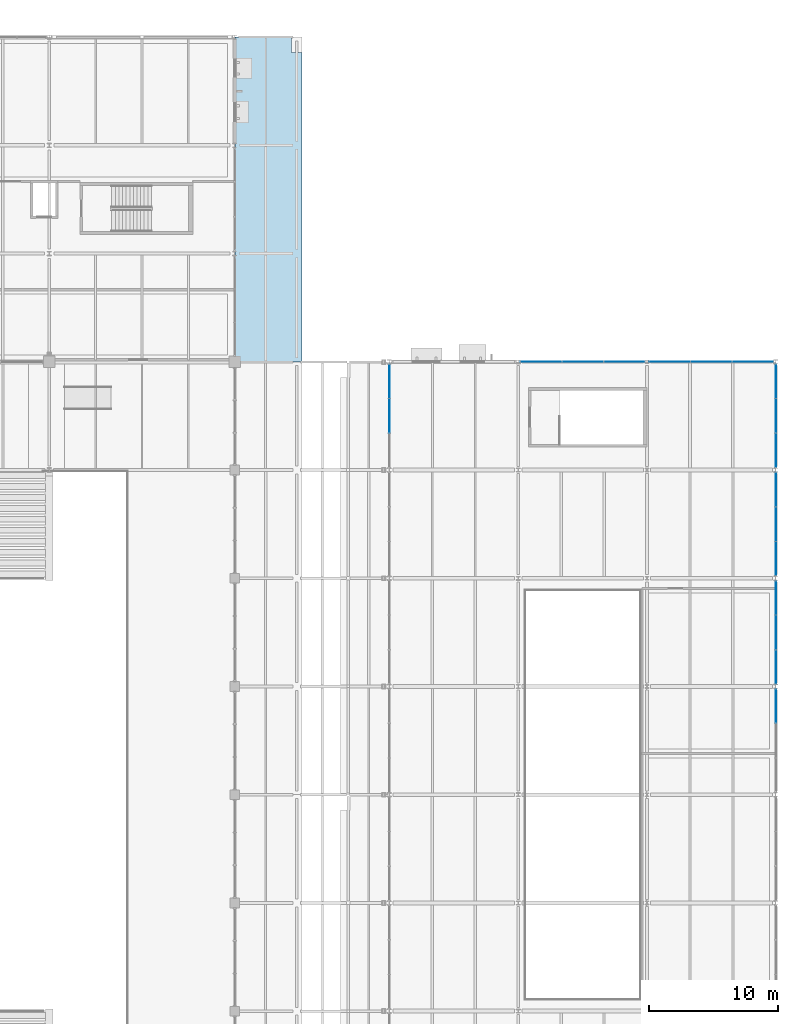
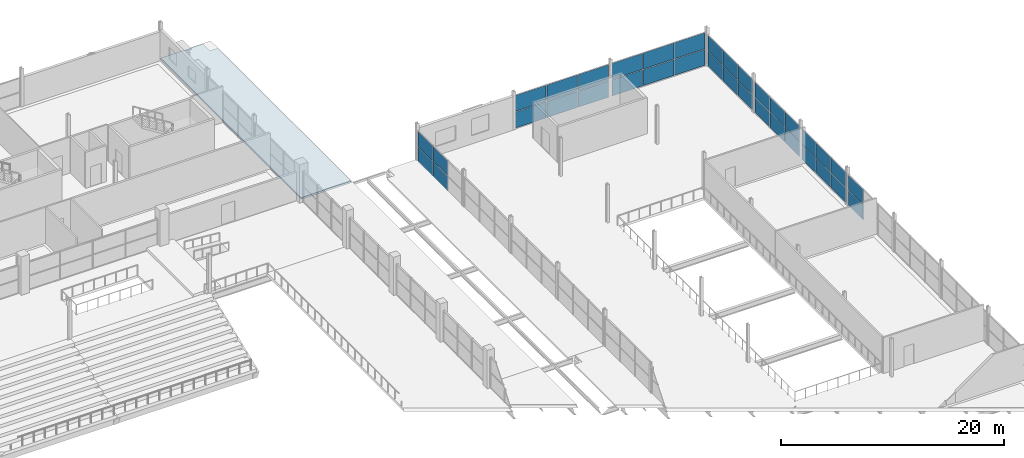
# One storey, part 131 of 161: 36 plates, 1 slab, 7 elements without a shape of their own.
"""IFC4 building model written with IfcOpenShell, lengths in metres."""

from ifc_helpers import new_model, si_unit, direction, frame, origin, origin_2d, place, context, subcontext, project, spatial, polyline, rectangle, outline, extrude, material, layer, layer_set, type_object, element, aggregate, save


model = new_model("IFC4")

# Units and contexts
model_context = context("Model", 3, precision=1e-05, world=origin(), true_north=direction((0.0, 1.0)))
body_context = subcontext(model_context, "Body", "Model", "MODEL_VIEW")
ifc_project = project(units=[si_unit("LENGTHUNIT", "METRE"), si_unit("AREAUNIT", "SQUARE_METRE"), si_unit("VOLUMEUNIT", "CUBIC_METRE"), si_unit("PLANEANGLEUNIT", "RADIAN"), si_unit("MASSUNIT", "GRAM", prefix="KILO"), si_unit("THERMODYNAMICTEMPERATUREUNIT", "KELVIN")], contexts=[model_context])

# Site, building, storey
site_placement = place(None, origin())
site = spatial("IfcSite", under=ifc_project, at=site_placement, CompositionType="ELEMENT")
building_placement = place(site_placement, origin())
building = spatial("IfcBuilding", under=site, at=building_placement, Name="Nduvali Passage Aquatics Centre", CompositionType="ELEMENT")
storey_placement = place(building_placement, frame((0.0, 0.0, 4.800048828125)))
storey = spatial("IfcBuildingStorey", under=building, at=storey_placement, Name="L01", CompositionType="ELEMENT", Elevation=4.800048828125)

# Curtain wall, plates
ifc_material_1 = material(Name="Aluminium EN AW-6063 T6", Category="aluminium")
curtain_wall_type_1 = type_object("IfcCurtainWallType", Name="ENV-CW-FOYR", PredefinedType="NOTDEFINED", material=ifc_material_1)
curtain_wall_1_placement = place(storey_placement, origin())
curtain_wall_1 = element("IfcCurtainWall", 1, at=curtain_wall_1_placement, inside=storey, type_object=curtain_wall_type_1, Name="L01 Passage Foyer End Upper CW 079", PredefinedType="NOTDEFINED")
ifc_material_2 = material(Name="Laminated solar-control low-E IGU")
ifc_layer_1 = layer(ifc_material_2, 0.028076171875, Name="Laminated solar-control low-E IGU")
ifc_layer_set_1 = layer_set([ifc_layer_1], Name="Laminated solar-control low-E IGU")
plate_type = type_object("IfcPlateType", Name="ENV-PLT-GLZ28", PredefinedType="CURTAIN_PANEL", material=ifc_layer_set_1)
plate_1_placement = place(storey_placement, frame((138.0, 88.199951171875, 0.06005859375), z_axis=(0.0, 0.0, 1.0), x_axis=(0.0, 1.0, 0.0)))
plate_1 = element("IfcPlate", 2, at=plate_1_placement, type_object=plate_type, Name="Passage Foyer End Upper CW Glazed Panel B2-R1", PredefinedType="CURTAIN_PANEL", context=body_context, shape_type="SweptSolid", body=[
    extrude(rectangle(XDim=2.639892578125, YDim=0.028076171875, at=origin_2d()), origin(), (0.0, 0.0, 1.0), 1.628173828125),
])
plate_2_placement = place(storey_placement, frame((138.0, 88.199951171875, 1.748046875), z_axis=(0.0, 0.0, 1.0), x_axis=(0.0, 1.0, 0.0)))
plate_2 = element("IfcPlate", 3, at=plate_2_placement, type_object=plate_type, Name="Passage Foyer End Upper CW Glazed Panel B2-R2", PredefinedType="CURTAIN_PANEL", context=body_context, shape_type="SweptSolid", body=[
    extrude(rectangle(XDim=2.639892578125, YDim=0.028076171875, at=origin_2d()), origin(), (0.0, 0.0, 1.0), 1.628173828125),
])
plate_3_placement = place(storey_placement, frame((138.0, 90.885009765625, 0.06005859375), z_axis=(0.0, 0.0, 1.0), x_axis=(0.0, 1.0, 0.0)))
plate_3 = element("IfcPlate", 4, at=plate_3_placement, type_object=plate_type, Name="Passage Foyer End Upper CW Glazed Panel B3-R1", PredefinedType="CURTAIN_PANEL", context=body_context, shape_type="SweptSolid", body=[
    extrude(rectangle(XDim=2.610107421875, YDim=0.028076171875, at=origin_2d()), origin(), (0.0, 0.0, 1.0), 1.628173828125),
])
plate_4_placement = place(storey_placement, frame((138.0, 90.885009765625, 1.748046875), z_axis=(0.0, 0.0, 1.0), x_axis=(0.0, 1.0, 0.0)))
plate_4 = element("IfcPlate", 5, at=plate_4_placement, type_object=plate_type, Name="Passage Foyer End Upper CW Glazed Panel B3-R2", PredefinedType="CURTAIN_PANEL", context=body_context, shape_type="SweptSolid", body=[
    extrude(rectangle(XDim=2.610107421875, YDim=0.028076171875, at=origin_2d()), origin(), (0.0, 0.0, 1.0), 1.628173828125),
])
aggregate(curtain_wall_1, [plate_1, plate_2, plate_3, plate_4])

curtain_wall_2_placement = place(storey_placement, origin())
curtain_wall_2 = element("IfcCurtainWall", 6, at=curtain_wall_2_placement, inside=storey, type_object=curtain_wall_type_1, Name="L01 East Avenue Entrance Upper CW 086", PredefinedType="NOTDEFINED")
plate_5_placement = place(storey_placement, frame((168.0, 65.681640625, 0.06005859375), z_axis=(0.0, 0.0, 1.0), x_axis=(0.0, 1.0, 0.0)))
plate_5 = element("IfcPlate", 7, at=plate_5_placement, type_object=plate_type, Name="East Avenue Entrance Upper CW Glazed Panel B3-R1", PredefinedType="CURTAIN_PANEL", context=body_context, shape_type="SweptSolid", body=[
    extrude(rectangle(XDim=2.606689453125, YDim=0.028076171875, at=origin_2d()), origin(), (0.0, 0.0, 1.0), 1.628173828125),
])
plate_6_placement = place(storey_placement, frame((168.0, 65.681640625, 1.748046875), z_axis=(0.0, 0.0, 1.0), x_axis=(0.0, 1.0, 0.0)))
plate_6 = element("IfcPlate", 8, at=plate_6_placement, type_object=plate_type, Name="East Avenue Entrance Upper CW Glazed Panel B3-R2", PredefinedType="CURTAIN_PANEL", context=body_context, shape_type="SweptSolid", body=[
    extrude(rectangle(XDim=2.606689453125, YDim=0.028076171875, at=origin_2d()), origin(), (0.0, 0.0, 1.0), 1.628173828125),
])
aggregate(curtain_wall_2, [plate_5, plate_6])

curtain_wall_3_placement = place(storey_placement, origin())
curtain_wall_3 = element("IfcCurtainWall", 9, at=curtain_wall_3_placement, inside=storey, type_object=curtain_wall_type_1, Name="L01 East Avenue Entrance Upper CW 088", PredefinedType="NOTDEFINED")
plate_7_placement = place(storey_placement, frame((168.0, 68.71826171875, 0.06005859375), z_axis=(0.0, 0.0, 1.0), x_axis=(0.0, 1.0, 0.0)))
plate_7 = element("IfcPlate", 10, at=plate_7_placement, type_object=plate_type, Name="East Avenue Entrance Upper CW Glazed Panel B1-R1", PredefinedType="CURTAIN_PANEL", context=body_context, shape_type="SweptSolid", body=[
    extrude(rectangle(XDim=2.606689453125, YDim=0.028076171875, at=origin_2d()), origin(), (0.0, 0.0, 1.0), 1.628173828125),
])
plate_8_placement = place(storey_placement, frame((168.0, 68.71826171875, 1.748046875), z_axis=(0.0, 0.0, 1.0), x_axis=(0.0, 1.0, 0.0)))
plate_8 = element("IfcPlate", 11, at=plate_8_placement, type_object=plate_type, Name="East Avenue Entrance Upper CW Glazed Panel B1-R2", PredefinedType="CURTAIN_PANEL", context=body_context, shape_type="SweptSolid", body=[
    extrude(rectangle(XDim=2.606689453125, YDim=0.028076171875, at=origin_2d()), origin(), (0.0, 0.0, 1.0), 1.628173828125),
])
plate_9_placement = place(storey_placement, frame((168.0, 71.39990234375, 0.06005859375), z_axis=(0.0, 0.0, 1.0), x_axis=(0.0, 1.0, 0.0)))
plate_9 = element("IfcPlate", 12, at=plate_9_placement, type_object=plate_type, Name="East Avenue Entrance Upper CW Glazed Panel B2-R1", PredefinedType="CURTAIN_PANEL", context=body_context, shape_type="SweptSolid", body=[
    extrude(rectangle(XDim=2.63671875, YDim=0.028076171875, at=origin_2d()), origin(), (0.0, 0.0, 1.0), 1.628173828125),
])
plate_10_placement = place(storey_placement, frame((168.0, 71.39990234375, 1.748046875), z_axis=(0.0, 0.0, 1.0), x_axis=(0.0, 1.0, 0.0)))
plate_10 = element("IfcPlate", 13, at=plate_10_placement, type_object=plate_type, Name="East Avenue Entrance Upper CW Glazed Panel B2-R2", PredefinedType="CURTAIN_PANEL", context=body_context, shape_type="SweptSolid", body=[
    extrude(rectangle(XDim=2.63671875, YDim=0.028076171875, at=origin_2d()), origin(), (0.0, 0.0, 1.0), 1.628173828125),
])
plate_11_placement = place(storey_placement, frame((168.0, 74.081787109375, 0.06005859375), z_axis=(0.0, 0.0, 1.0), x_axis=(0.0, 1.0, 0.0)))
plate_11 = element("IfcPlate", 14, at=plate_11_placement, type_object=plate_type, Name="East Avenue Entrance Upper CW Glazed Panel B3-R1", PredefinedType="CURTAIN_PANEL", context=body_context, shape_type="SweptSolid", body=[
    extrude(rectangle(XDim=2.606689453125, YDim=0.028076171875, at=origin_2d()), origin(), (0.0, 0.0, 1.0), 1.628173828125),
])
plate_12_placement = place(storey_placement, frame((168.0, 74.081787109375, 1.748046875), z_axis=(0.0, 0.0, 1.0), x_axis=(0.0, 1.0, 0.0)))
plate_12 = element("IfcPlate", 15, at=plate_12_placement, type_object=plate_type, Name="East Avenue Entrance Upper CW Glazed Panel B3-R2", PredefinedType="CURTAIN_PANEL", context=body_context, shape_type="SweptSolid", body=[
    extrude(rectangle(XDim=2.606689453125, YDim=0.028076171875, at=origin_2d()), origin(), (0.0, 0.0, 1.0), 1.628173828125),
])
aggregate(curtain_wall_3, [plate_7, plate_8, plate_9, plate_10, plate_11, plate_12])

curtain_wall_4_placement = place(storey_placement, origin())
curtain_wall_4 = element("IfcCurtainWall", 16, at=curtain_wall_4_placement, inside=storey, type_object=curtain_wall_type_1, Name="L01 East Avenue Entrance Upper CW 090", PredefinedType="NOTDEFINED")
plate_13_placement = place(storey_placement, frame((168.0, 77.118408203125, 0.06005859375), z_axis=(0.0, 0.0, 1.0), x_axis=(0.0, 1.0, 0.0)))
plate_13 = element("IfcPlate", 17, at=plate_13_placement, type_object=plate_type, Name="East Avenue Entrance Upper CW Glazed Panel B1-R1", PredefinedType="CURTAIN_PANEL", context=body_context, shape_type="SweptSolid", body=[
    extrude(rectangle(XDim=2.606689453125, YDim=0.028076171875, at=origin_2d()), origin(), (0.0, 0.0, 1.0), 1.628173828125),
])
plate_14_placement = place(storey_placement, frame((168.0, 77.118408203125, 1.748046875), z_axis=(0.0, 0.0, 1.0), x_axis=(0.0, 1.0, 0.0)))
plate_14 = element("IfcPlate", 18, at=plate_14_placement, type_object=plate_type, Name="East Avenue Entrance Upper CW Glazed Panel B1-R2", PredefinedType="CURTAIN_PANEL", context=body_context, shape_type="SweptSolid", body=[
    extrude(rectangle(XDim=2.606689453125, YDim=0.028076171875, at=origin_2d()), origin(), (0.0, 0.0, 1.0), 1.628173828125),
])
plate_15_placement = place(storey_placement, frame((168.0, 79.800048828125, 0.06005859375), z_axis=(0.0, 0.0, 1.0), x_axis=(0.0, 1.0, 0.0)))
plate_15 = element("IfcPlate", 19, at=plate_15_placement, type_object=plate_type, Name="East Avenue Entrance Upper CW Glazed Panel B2-R1", PredefinedType="CURTAIN_PANEL", context=body_context, shape_type="SweptSolid", body=[
    extrude(rectangle(XDim=2.63671875, YDim=0.028076171875, at=origin_2d()), origin(), (0.0, 0.0, 1.0), 1.628173828125),
])
plate_16_placement = place(storey_placement, frame((168.0, 79.800048828125, 1.748046875), z_axis=(0.0, 0.0, 1.0), x_axis=(0.0, 1.0, 0.0)))
plate_16 = element("IfcPlate", 20, at=plate_16_placement, type_object=plate_type, Name="East Avenue Entrance Upper CW Glazed Panel B2-R2", PredefinedType="CURTAIN_PANEL", context=body_context, shape_type="SweptSolid", body=[
    extrude(rectangle(XDim=2.63671875, YDim=0.028076171875, at=origin_2d()), origin(), (0.0, 0.0, 1.0), 1.628173828125),
])
plate_17_placement = place(storey_placement, frame((168.0, 82.481689453125, 0.06005859375), z_axis=(0.0, 0.0, 1.0), x_axis=(0.0, 1.0, 0.0)))
plate_17 = element("IfcPlate", 21, at=plate_17_placement, type_object=plate_type, Name="East Avenue Entrance Upper CW Glazed Panel B3-R1", PredefinedType="CURTAIN_PANEL", context=body_context, shape_type="SweptSolid", body=[
    extrude(rectangle(XDim=2.606689453125, YDim=0.028076171875, at=origin_2d()), origin(), (0.0, 0.0, 1.0), 1.628173828125),
])
plate_18_placement = place(storey_placement, frame((168.0, 82.481689453125, 1.748046875), z_axis=(0.0, 0.0, 1.0), x_axis=(0.0, 1.0, 0.0)))
plate_18 = element("IfcPlate", 22, at=plate_18_placement, type_object=plate_type, Name="East Avenue Entrance Upper CW Glazed Panel B3-R2", PredefinedType="CURTAIN_PANEL", context=body_context, shape_type="SweptSolid", body=[
    extrude(rectangle(XDim=2.606689453125, YDim=0.028076171875, at=origin_2d()), origin(), (0.0, 0.0, 1.0), 1.628173828125),
])
aggregate(curtain_wall_4, [plate_13, plate_14, plate_15, plate_16, plate_17, plate_18])

curtain_wall_5_placement = place(storey_placement, origin())
curtain_wall_5 = element("IfcCurtainWall", 23, at=curtain_wall_5_placement, inside=storey, type_object=curtain_wall_type_1, Name="L01 East Avenue Entrance End Upper CW 091", PredefinedType="NOTDEFINED")
plate_19_placement = place(storey_placement, frame((168.0, 85.518310546875, 0.06005859375), z_axis=(0.0, 0.0, 1.0), x_axis=(0.0, 1.0, 0.0)))
plate_19 = element("IfcPlate", 24, at=plate_19_placement, type_object=plate_type, Name="East Avenue Entrance End Upper CW Glazed Panel B1-R1", PredefinedType="CURTAIN_PANEL", context=body_context, shape_type="SweptSolid", body=[
    extrude(rectangle(XDim=2.606689453125, YDim=0.028076171875, at=origin_2d()), origin(), (0.0, 0.0, 1.0), 1.628173828125),
])
plate_20_placement = place(storey_placement, frame((168.0, 85.518310546875, 1.748046875), z_axis=(0.0, 0.0, 1.0), x_axis=(0.0, 1.0, 0.0)))
plate_20 = element("IfcPlate", 25, at=plate_20_placement, type_object=plate_type, Name="East Avenue Entrance End Upper CW Glazed Panel B1-R2", PredefinedType="CURTAIN_PANEL", context=body_context, shape_type="SweptSolid", body=[
    extrude(rectangle(XDim=2.606689453125, YDim=0.028076171875, at=origin_2d()), origin(), (0.0, 0.0, 1.0), 1.628173828125),
])
plate_21_placement = place(storey_placement, frame((168.0, 88.199951171875, 0.06005859375), z_axis=(0.0, 0.0, 1.0), x_axis=(0.0, 1.0, 0.0)))
plate_21 = element("IfcPlate", 26, at=plate_21_placement, type_object=plate_type, Name="East Avenue Entrance End Upper CW Glazed Panel B2-R1", PredefinedType="CURTAIN_PANEL", context=body_context, shape_type="SweptSolid", body=[
    extrude(rectangle(XDim=2.63671875, YDim=0.028076171875, at=origin_2d()), origin(), (0.0, 0.0, 1.0), 1.628173828125),
])
plate_22_placement = place(storey_placement, frame((168.0, 88.199951171875, 1.748046875), z_axis=(0.0, 0.0, 1.0), x_axis=(0.0, 1.0, 0.0)))
plate_22 = element("IfcPlate", 27, at=plate_22_placement, type_object=plate_type, Name="East Avenue Entrance End Upper CW Glazed Panel B2-R2", PredefinedType="CURTAIN_PANEL", context=body_context, shape_type="SweptSolid", body=[
    extrude(rectangle(XDim=2.63671875, YDim=0.028076171875, at=origin_2d()), origin(), (0.0, 0.0, 1.0), 1.628173828125),
])
plate_23_placement = place(storey_placement, frame((168.0, 90.881591796875, 0.06005859375), z_axis=(0.0, 0.0, 1.0), x_axis=(0.0, 1.0, 0.0)))
plate_23 = element("IfcPlate", 28, at=plate_23_placement, type_object=plate_type, Name="East Avenue Entrance End Upper CW Glazed Panel B3-R1", PredefinedType="CURTAIN_PANEL", context=body_context, shape_type="SweptSolid", body=[
    extrude(rectangle(XDim=2.606689453125, YDim=0.028076171875, at=origin_2d()), origin(), (0.0, 0.0, 1.0), 1.628173828125),
])
plate_24_placement = place(storey_placement, frame((168.0, 90.881591796875, 1.748046875), z_axis=(0.0, 0.0, 1.0), x_axis=(0.0, 1.0, 0.0)))
plate_24 = element("IfcPlate", 29, at=plate_24_placement, type_object=plate_type, Name="East Avenue Entrance End Upper CW Glazed Panel B3-R2", PredefinedType="CURTAIN_PANEL", context=body_context, shape_type="SweptSolid", body=[
    extrude(rectangle(XDim=2.606689453125, YDim=0.028076171875, at=origin_2d()), origin(), (0.0, 0.0, 1.0), 1.628173828125),
])
aggregate(curtain_wall_5, [plate_19, plate_20, plate_21, plate_22, plate_23, plate_24])

curtain_wall_type_2 = type_object("IfcCurtainWallType", Name="ENV-CW-PASS", PredefinedType="NOTDEFINED", material=ifc_material_1)
curtain_wall_6_placement = place(storey_placement, origin())
curtain_wall_6 = element("IfcCurtainWall", 30, at=curtain_wall_6_placement, inside=storey, type_object=curtain_wall_type_2, Name="L01 North Cafe Upper CW 096", PredefinedType="NOTDEFINED")
plate_25_placement = place(storey_placement, frame((149.777099609375, 92.39990234375, 0.059814453125), z_axis=(0.0, 0.0, 1.0), x_axis=(1.0, 0.0, 0.0)))
plate_25 = element("IfcPlate", 31, at=plate_25_placement, type_object=plate_type, Name="North Cafe Upper CW Glazed Panel B1-R1", PredefinedType="CURTAIN_PANEL", context=body_context, shape_type="SweptSolid", body=[
    extrude(rectangle(XDim=3.154052734375, YDim=0.028076171875, at=origin_2d()), origin(), (0.0, 0.0, 1.0), 1.748046875),
])
plate_26_placement = place(storey_placement, frame((149.777099609375, 92.39990234375, 1.867919921875), z_axis=(0.0, 0.0, 1.0), x_axis=(1.0, 0.0, 0.0)))
plate_26 = element("IfcPlate", 32, at=plate_26_placement, type_object=plate_type, Name="North Cafe Upper CW Glazed Panel B1-R2", PredefinedType="CURTAIN_PANEL", context=body_context, shape_type="SweptSolid", body=[
    extrude(rectangle(XDim=3.154052734375, YDim=0.028076171875, at=origin_2d()), origin(), (0.0, 0.0, 1.0), 1.748046875),
])
plate_27_placement = place(storey_placement, frame((153.005859375, 92.39990234375, 0.059814453125), z_axis=(0.0, 0.0, 1.0), x_axis=(1.0, 0.0, 0.0)))
plate_27 = element("IfcPlate", 33, at=plate_27_placement, type_object=plate_type, Name="North Cafe Upper CW Glazed Panel B2-R1", PredefinedType="CURTAIN_PANEL", context=body_context, shape_type="SweptSolid", body=[
    extrude(rectangle(XDim=3.18408203125, YDim=0.028076171875, at=origin_2d()), origin(), (0.0, 0.0, 1.0), 1.748046875),
])
plate_28_placement = place(storey_placement, frame((153.005859375, 92.39990234375, 1.867919921875), z_axis=(0.0, 0.0, 1.0), x_axis=(1.0, 0.0, 0.0)))
plate_28 = element("IfcPlate", 34, at=plate_28_placement, type_object=plate_type, Name="North Cafe Upper CW Glazed Panel B2-R2", PredefinedType="CURTAIN_PANEL", context=body_context, shape_type="SweptSolid", body=[
    extrude(rectangle(XDim=3.18408203125, YDim=0.028076171875, at=origin_2d()), origin(), (0.0, 0.0, 1.0), 1.748046875),
])
plate_29_placement = place(storey_placement, frame((156.23486328125, 92.39990234375, 0.059814453125), z_axis=(0.0, 0.0, 1.0), x_axis=(1.0, 0.0, 0.0)))
plate_29 = element("IfcPlate", 35, at=plate_29_placement, type_object=plate_type, Name="North Cafe Upper CW Glazed Panel B3-R1", PredefinedType="CURTAIN_PANEL", context=body_context, shape_type="SweptSolid", body=[
    extrude(rectangle(XDim=3.154052734375, YDim=0.028076171875, at=origin_2d()), origin(), (0.0, 0.0, 1.0), 1.748046875),
])
plate_30_placement = place(storey_placement, frame((156.23486328125, 92.39990234375, 1.867919921875), z_axis=(0.0, 0.0, 1.0), x_axis=(1.0, 0.0, 0.0)))
plate_30 = element("IfcPlate", 36, at=plate_30_placement, type_object=plate_type, Name="North Cafe Upper CW Glazed Panel B3-R2", PredefinedType="CURTAIN_PANEL", context=body_context, shape_type="SweptSolid", body=[
    extrude(rectangle(XDim=3.154052734375, YDim=0.028076171875, at=origin_2d()), origin(), (0.0, 0.0, 1.0), 1.748046875),
])
aggregate(curtain_wall_6, [plate_25, plate_26, plate_27, plate_28, plate_29, plate_30])

curtain_wall_7_placement = place(storey_placement, origin())
curtain_wall_7 = element("IfcCurtainWall", 37, at=curtain_wall_7_placement, inside=storey, type_object=curtain_wall_type_2, Name="L01 North Cafe Upper CW 098", PredefinedType="NOTDEFINED")
plate_31_placement = place(storey_placement, frame((159.763427734375, 92.39990234375, 0.059814453125), z_axis=(0.0, 0.0, 1.0), x_axis=(1.0, 0.0, 0.0)))
plate_31 = element("IfcPlate", 38, at=plate_31_placement, type_object=plate_type, Name="North Cafe Upper CW Glazed Panel B1-R1", PredefinedType="CURTAIN_PANEL", context=body_context, shape_type="SweptSolid", body=[
    extrude(rectangle(XDim=3.150634765625, YDim=0.028076171875, at=origin_2d()), origin(), (0.0, 0.0, 1.0), 1.748046875),
])
plate_32_placement = place(storey_placement, frame((159.763427734375, 92.39990234375, 1.867919921875), z_axis=(0.0, 0.0, 1.0), x_axis=(1.0, 0.0, 0.0)))
plate_32 = element("IfcPlate", 39, at=plate_32_placement, type_object=plate_type, Name="North Cafe Upper CW Glazed Panel B1-R2", PredefinedType="CURTAIN_PANEL", context=body_context, shape_type="SweptSolid", body=[
    extrude(rectangle(XDim=3.150634765625, YDim=0.028076171875, at=origin_2d()), origin(), (0.0, 0.0, 1.0), 1.748046875),
])
plate_33_placement = place(storey_placement, frame((162.989013671875, 92.39990234375, 0.059814453125), z_axis=(0.0, 0.0, 1.0), x_axis=(1.0, 0.0, 0.0)))
plate_33 = element("IfcPlate", 40, at=plate_33_placement, type_object=plate_type, Name="North Cafe Upper CW Glazed Panel B2-R1", PredefinedType="CURTAIN_PANEL", context=body_context, shape_type="SweptSolid", body=[
    extrude(rectangle(XDim=3.1806640625, YDim=0.028076171875, at=origin_2d()), origin(), (0.0, 0.0, 1.0), 1.748046875),
])
plate_34_placement = place(storey_placement, frame((162.989013671875, 92.39990234375, 1.867919921875), z_axis=(0.0, 0.0, 1.0), x_axis=(1.0, 0.0, 0.0)))
plate_34 = element("IfcPlate", 41, at=plate_34_placement, type_object=plate_type, Name="North Cafe Upper CW Glazed Panel B2-R2", PredefinedType="CURTAIN_PANEL", context=body_context, shape_type="SweptSolid", body=[
    extrude(rectangle(XDim=3.1806640625, YDim=0.028076171875, at=origin_2d()), origin(), (0.0, 0.0, 1.0), 1.748046875),
])
plate_35_placement = place(storey_placement, frame((166.214599609375, 92.39990234375, 0.059814453125), z_axis=(0.0, 0.0, 1.0), x_axis=(1.0, 0.0, 0.0)))
plate_35 = element("IfcPlate", 42, at=plate_35_placement, type_object=plate_type, Name="North Cafe Upper CW Glazed Panel B3-R1", PredefinedType="CURTAIN_PANEL", context=body_context, shape_type="SweptSolid", body=[
    extrude(rectangle(XDim=3.150634765625, YDim=0.028076171875, at=origin_2d()), origin(), (0.0, 0.0, 1.0), 1.748046875),
])
plate_36_placement = place(storey_placement, frame((166.214599609375, 92.39990234375, 1.867919921875), z_axis=(0.0, 0.0, 1.0), x_axis=(1.0, 0.0, 0.0)))
plate_36 = element("IfcPlate", 43, at=plate_36_placement, type_object=plate_type, Name="North Cafe Upper CW Glazed Panel B3-R2", PredefinedType="CURTAIN_PANEL", context=body_context, shape_type="SweptSolid", body=[
    extrude(rectangle(XDim=3.150634765625, YDim=0.028076171875, at=origin_2d()), origin(), (0.0, 0.0, 1.0), 1.748046875),
])
aggregate(curtain_wall_7, [plate_31, plate_32, plate_33, plate_34, plate_35, plate_36])

# Slab
ifc_material_3 = material(Name="Concrete C40/50", Category="concrete")
ifc_layer_2 = layer(ifc_material_3, 0.18994140625, Name="Concrete C40/50")
ifc_layer_set_2 = layer_set([ifc_layer_2], Name="Concrete C40/50")
slab_type = type_object("IfcSlabType", Name="STR-SLB-ROOF190", PredefinedType="ROOF", material=ifc_layer_set_2)
slab_placement = place(storey_placement, origin())
element("IfcSlab", 44, at=slab_placement, inside=storey, type_object=slab_type, Name="L01 Monsoon Passage West Colonnade Canopy Slab 4", PredefinedType="ROOF", context=body_context, shape_type="SweptSolid", body=[
    extrude(outline(polyline([(126.0, 92.39990234375), (131.199951171875, 92.39990234375), (131.199951171875, 116.39990234375), (130.39990234375, 116.39990234375), (130.39990234375, 117.60009765625), (126.0, 117.60009765625), (126.0, 92.39990234375)])), origin(), (0.0, 0.0, 1.0), 0.18994140625),
])

save(model, "model.ifc")
